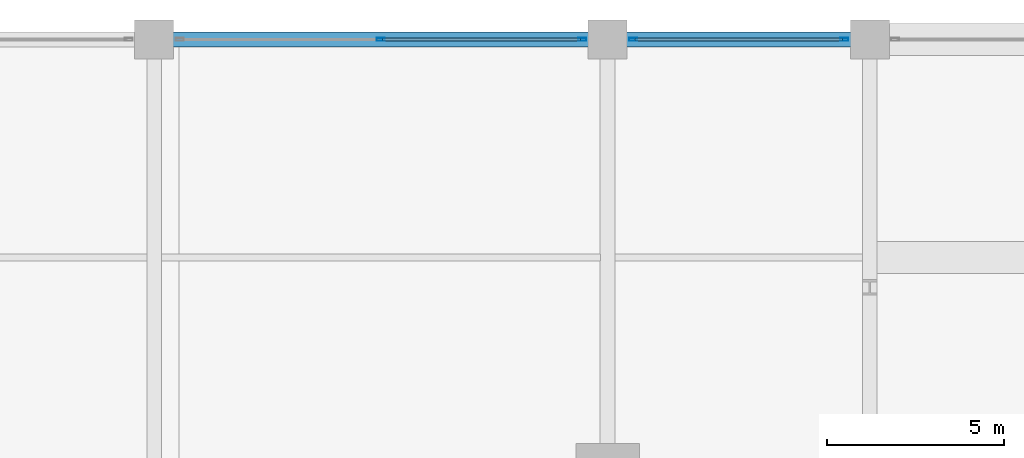
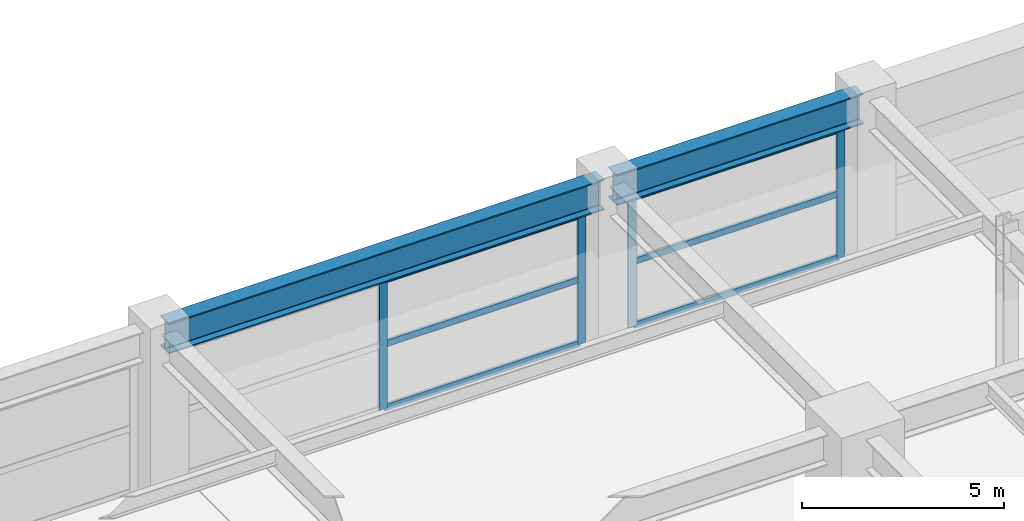
# One storey, part 17 of 43: 10 members, 2 beams, 2 elements without a shape of their own.
"""IFC4 building model written with IfcOpenShell, lengths in metres."""

from ifc_helpers import new_model, si_unit, direction, frame, origin, origin_2d, place, context, subcontext, project, spatial, hollow_rectangle, i_section, extrude, material, material_profile, profile_set, type_object, element, aggregate, save


model = new_model("IFC4")

# Units and contexts
model_context = context("Model", 3, precision=1e-05, world=origin(), true_north=direction((0.0, 1.0)))
body_context = subcontext(model_context, "Body", "Model", "MODEL_VIEW")
ifc_project = project(units=[si_unit("LENGTHUNIT", "METRE"), si_unit("AREAUNIT", "SQUARE_METRE"), si_unit("VOLUMEUNIT", "CUBIC_METRE"), si_unit("PLANEANGLEUNIT", "RADIAN"), si_unit("MASSUNIT", "GRAM", prefix="KILO")], contexts=[model_context])

# Site, building, storey
site_placement = place(None, origin())
site = spatial("IfcSite", under=ifc_project, at=site_placement, CompositionType="ELEMENT")
building_placement = place(site_placement, origin())
building = spatial("IfcBuilding", under=site, at=building_placement, Name="Kovane Verandah Tower", CompositionType="ELEMENT")
storey_placement = place(building_placement, frame((0.0, 0.0, 11.199951171875)))
storey = spatial("IfcBuildingStorey", under=building, at=storey_placement, Name="L02", CompositionType="ELEMENT", Elevation=11.199951171875)

# Beams
ifc_material_1 = material(Name="Steel S460", Category="steel")
ifc_material_profile_1 = material_profile(ifc_material_1, i_section(OverallWidth=0.42041015625, OverallDepth=0.9208984375, WebThickness=0.021484375, FlangeThickness=0.03662109375, FilletRadius=0.024169921875, at=origin_2d()), Name="UB914x419x388")
ifc_profile_set_1 = profile_set([ifc_material_profile_1], Name="Steel S460")
beam_type = type_object("IfcBeamType", Name="BM-UB914x388", PredefinedType="BEAM", material=ifc_profile_set_1)
beam_1_placement = place(storey_placement, frame((8.97998046875, 56.5, 4.439453125), z_axis=(1.0, 0.0, 0.0), x_axis=(0.0, 1.0, 0.0)))
element("IfcBeam", 1, at=beam_1_placement, inside=storey, type_object=beam_type, Name="L02 Podium Grid Girder X18", PredefinedType="BEAM", context=body_context, shape_type="SweptSolid", body=[
    extrude(i_section(OverallWidth=0.42041015625, OverallDepth=0.9208984375, WebThickness=0.021484375, FlangeThickness=0.03662109375, FilletRadius=0.024169921875, at=origin_2d()), origin(), (0.0, 0.0, 1.0), 12.43994140625),
])
beam_2_placement = place(storey_placement, frame((21.780029296875, 56.5, 4.439453125), z_axis=(1.0, 0.0, 0.0), x_axis=(0.0, 1.0, 0.0)))
element("IfcBeam", 2, at=beam_2_placement, inside=storey, type_object=beam_type, Name="L02 Podium Grid Girder X19", PredefinedType="BEAM", context=body_context, shape_type="SweptSolid", body=[
    extrude(i_section(OverallWidth=0.42041015625, OverallDepth=0.9208984375, WebThickness=0.021484375, FlangeThickness=0.03662109375, FilletRadius=0.024169921875, at=origin_2d()), origin(), (0.0, 0.0, 1.0), 7.0400390625),
])

# Curtain wall, members
ifc_material_2 = material(Name="Champagne Anodised Aluminium Frame with Low-E Clear Laminated Glass", Category="aluminium")
curtain_wall_type = type_object("IfcCurtainWallType", Name="CW-SYS-01-POD", PredefinedType="NOTDEFINED", material=ifc_material_2)
curtain_wall_1_placement = place(storey_placement, origin())
curtain_wall_1 = element("IfcCurtainWall", 3, at=curtain_wall_1_placement, inside=storey, type_object=curtain_wall_type, Name="L02 North Podium Curtain Wall Bay 2", PredefinedType="NOTDEFINED")
ifc_material_3 = material(Name="Champagne Anodised Aluminium 6063-T6", Category="aluminium")
ifc_material_profile_2 = material_profile(ifc_material_3, hollow_rectangle(XDim=0.0849609375, YDim=0.22998046875, WallThickness=0.00390625, at=origin_2d()), Name="AL85x230x4")
ifc_profile_set_2 = profile_set([ifc_material_profile_2], Name="Champagne Anodised Aluminium 6063-T6")
member_type_1 = type_object("IfcMemberType", Name="CW-MUL-85x230", PredefinedType="MULLION", material=ifc_profile_set_2)
member_1_placement = place(storey_placement, frame((20.8798828125, 56.5, 0.02001953125), z_axis=(0.0, 0.0, 1.0), x_axis=(0.0, 1.0, 0.0)))
member_1 = element("IfcMember", 4, at=member_1_placement, type_object=member_type_1, Name="L02 North Podium Curtain Wall Bay 2 Mullion 1", PredefinedType="MULLION", context=body_context, shape_type="SweptSolid", body=[
    extrude(hollow_rectangle(XDim=0.0849609375, YDim=0.22998046875, WallThickness=0.00390625, at=origin_2d()), origin(), (0.0, 0.0, 1.0), 3.9189453125),
])
member_2_placement = place(storey_placement, frame((15.199951171875, 56.5, 0.02001953125), z_axis=(0.0, 0.0, 1.0), x_axis=(0.0, 1.0, 0.0)))
member_2 = element("IfcMember", 5, at=member_2_placement, type_object=member_type_1, Name="L02 North Podium Curtain Wall Bay 2 Mullion 2", PredefinedType="MULLION", context=body_context, shape_type="SweptSolid", body=[
    extrude(hollow_rectangle(XDim=0.0849609375, YDim=0.22998046875, WallThickness=0.00390625, at=origin_2d()), origin(), (0.0, 0.0, 1.0), 3.9189453125),
])

curtain_wall_2_placement = place(storey_placement, origin())
curtain_wall_2 = element("IfcCurtainWall", 6, at=curtain_wall_2_placement, inside=storey, type_object=curtain_wall_type, Name="L02 North Podium Curtain Wall Bay 3", PredefinedType="NOTDEFINED")
member_3_placement = place(storey_placement, frame((28.280029296875, 56.5, 0.02001953125), z_axis=(0.0, 0.0, 1.0), x_axis=(0.0, 1.0, 0.0)))
member_3 = element("IfcMember", 7, at=member_3_placement, type_object=member_type_1, Name="L02 North Podium Curtain Wall Bay 3 Mullion 1", PredefinedType="MULLION", context=body_context, shape_type="SweptSolid", body=[
    extrude(hollow_rectangle(XDim=0.0849609375, YDim=0.22998046875, WallThickness=0.00390625, at=origin_2d()), origin(), (0.0, 0.0, 1.0), 3.9189453125),
])
member_4_placement = place(storey_placement, frame((22.320068359375, 56.5, 0.02001953125), z_axis=(0.0, 0.0, 1.0), x_axis=(0.0, 1.0, 0.0)))
member_4 = element("IfcMember", 8, at=member_4_placement, type_object=member_type_1, Name="L02 North Podium Curtain Wall Bay 3 Mullion 2", PredefinedType="MULLION", context=body_context, shape_type="SweptSolid", body=[
    extrude(hollow_rectangle(XDim=0.0849609375, YDim=0.22998046875, WallThickness=0.00390625, at=origin_2d()), origin(), (0.0, 0.0, 1.0), 3.9189453125),
])

# Member
ifc_material_profile_3 = material_profile(ifc_material_3, hollow_rectangle(XDim=0.0849609375, YDim=0.18994140625, WallThickness=0.00390625, at=origin_2d()), Name="AL85x190x4")
ifc_profile_set_3 = profile_set([ifc_material_profile_3], Name="Champagne Anodised Aluminium 6063-T6")
member_type_2 = type_object("IfcMemberType", Name="CW-TRN-85x190", PredefinedType="USERDEFINED", material=ifc_profile_set_3)
member_5_placement = place(storey_placement, frame((20.830078125, 56.5, 0.050048828125), z_axis=(-1.0, 0.0, 0.0), x_axis=(0.0, -1.0, 0.0)))
member_5 = element("IfcMember", 9, at=member_5_placement, type_object=member_type_2, Name="L02 North Podium Curtain Wall Bay 2 Transom TB Bay 1", ObjectType="TRANSOM", PredefinedType="USERDEFINED", context=body_context, shape_type="SweptSolid", body=[
    extrude(hollow_rectangle(XDim=0.0849609375, YDim=0.18994140625, WallThickness=0.00390625, at=origin_2d()), origin(), (0.0, 0.0, 1.0), 5.580078125),
])

member_6_placement = place(storey_placement, frame((20.830078125, 56.5, 1.9794921875), z_axis=(-1.0, 0.0, 0.0), x_axis=(0.0, -1.0, 0.0)))
member_6 = element("IfcMember", 10, at=member_6_placement, type_object=member_type_2, Name="L02 North Podium Curtain Wall Bay 2 Transom TM Bay 1", ObjectType="TRANSOM", PredefinedType="USERDEFINED", context=body_context, shape_type="SweptSolid", body=[
    extrude(hollow_rectangle(XDim=0.0849609375, YDim=0.18994140625, WallThickness=0.00390625, at=origin_2d()), origin(), (0.0, 0.0, 1.0), 5.580078125),
])

member_7_placement = place(storey_placement, frame((20.830078125, 56.5, 3.908935546875), z_axis=(-1.0, 0.0, 0.0), x_axis=(0.0, -1.0, 0.0)))
member_7 = element("IfcMember", 11, at=member_7_placement, type_object=member_type_2, Name="L02 North Podium Curtain Wall Bay 2 Transom TT Bay 1", ObjectType="TRANSOM", PredefinedType="USERDEFINED", context=body_context, shape_type="SweptSolid", body=[
    extrude(hollow_rectangle(XDim=0.0849609375, YDim=0.18994140625, WallThickness=0.00390625, at=origin_2d()), origin(), (0.0, 0.0, 1.0), 5.580078125),
])

aggregate(curtain_wall_1, [member_1, member_2, member_5, member_6, member_7])

member_8_placement = place(storey_placement, frame((28.22998046875, 56.5, 0.050048828125), z_axis=(-1.0, 0.0, 0.0), x_axis=(0.0, -1.0, 0.0)))
member_8 = element("IfcMember", 12, at=member_8_placement, type_object=member_type_2, Name="L02 North Podium Curtain Wall Bay 3 Transom TB Bay 1", ObjectType="TRANSOM", PredefinedType="USERDEFINED", context=body_context, shape_type="SweptSolid", body=[
    extrude(hollow_rectangle(XDim=0.0849609375, YDim=0.18994140625, WallThickness=0.00390625, at=origin_2d()), origin(), (0.0, 0.0, 1.0), 5.85986328125),
])

member_9_placement = place(storey_placement, frame((28.22998046875, 56.5, 1.9794921875), z_axis=(-1.0, 0.0, 0.0), x_axis=(0.0, -1.0, 0.0)))
member_9 = element("IfcMember", 13, at=member_9_placement, type_object=member_type_2, Name="L02 North Podium Curtain Wall Bay 3 Transom TM Bay 1", ObjectType="TRANSOM", PredefinedType="USERDEFINED", context=body_context, shape_type="SweptSolid", body=[
    extrude(hollow_rectangle(XDim=0.0849609375, YDim=0.18994140625, WallThickness=0.00390625, at=origin_2d()), origin(), (0.0, 0.0, 1.0), 5.85986328125),
])

member_10_placement = place(storey_placement, frame((28.22998046875, 56.5, 3.908935546875), z_axis=(-1.0, 0.0, 0.0), x_axis=(0.0, -1.0, 0.0)))
member_10 = element("IfcMember", 14, at=member_10_placement, type_object=member_type_2, Name="L02 North Podium Curtain Wall Bay 3 Transom TT Bay 1", ObjectType="TRANSOM", PredefinedType="USERDEFINED", context=body_context, shape_type="SweptSolid", body=[
    extrude(hollow_rectangle(XDim=0.0849609375, YDim=0.18994140625, WallThickness=0.00390625, at=origin_2d()), origin(), (0.0, 0.0, 1.0), 5.85986328125),
])

aggregate(curtain_wall_2, [member_3, member_4, member_8, member_9, member_10])

save(model, "model.ifc")
